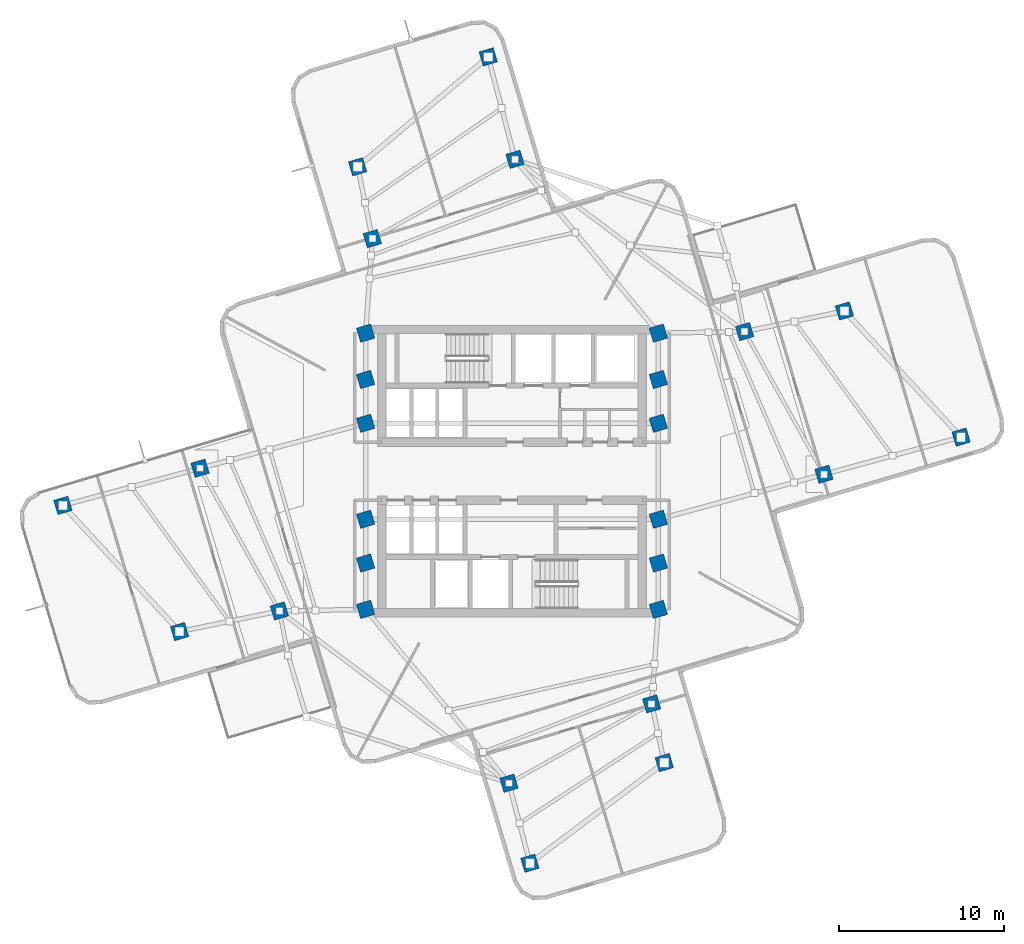
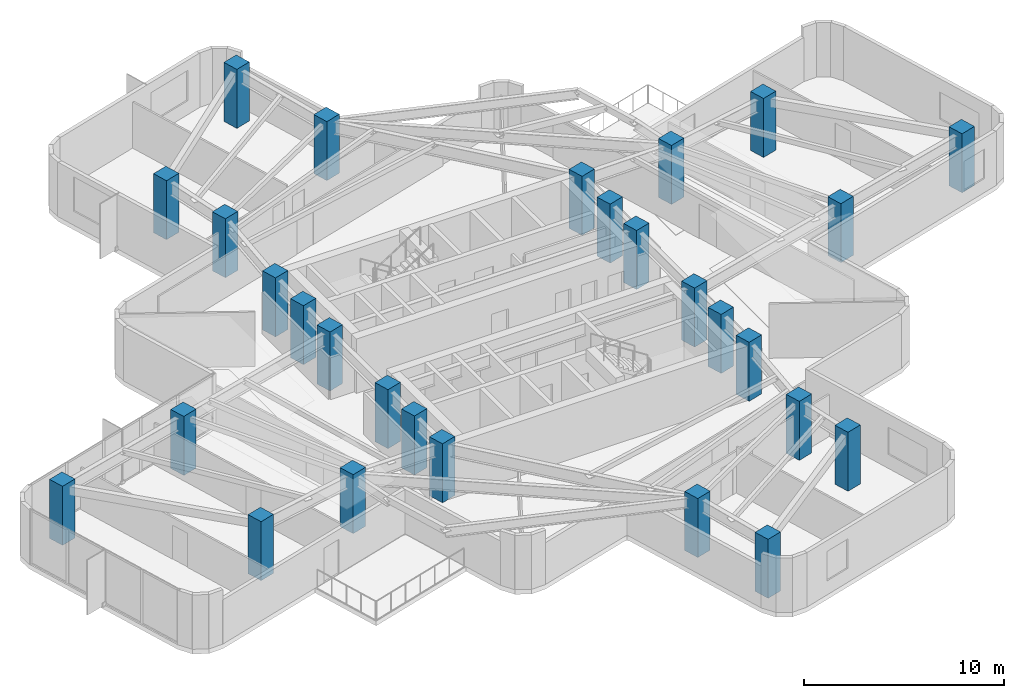
# One storey, part 1 of 11: 28 columns.
"""IFC4 building model written with IfcOpenShell, lengths in metres."""

from ifc_helpers import new_model, si_unit, direction, frame, origin, origin_2d, place, context, subcontext, project, spatial, rectangle, extrude, material, material_profile, profile_set, type_object, element, save


model = new_model("IFC4")

# Units and contexts
model_context = context("Model", 3, precision=1e-05, world=origin(), true_north=direction((0.0, 1.0)))
body_context = subcontext(model_context, "Body", "Model", "MODEL_VIEW")
ifc_project = project(units=[si_unit("LENGTHUNIT", "METRE"), si_unit("AREAUNIT", "SQUARE_METRE"), si_unit("VOLUMEUNIT", "CUBIC_METRE"), si_unit("PLANEANGLEUNIT", "RADIAN"), si_unit("MASSUNIT", "GRAM", prefix="KILO")], contexts=[model_context])

# Site, building, storey
site_placement = place(None, origin())
site = spatial("IfcSite", under=ifc_project, at=site_placement, CompositionType="ELEMENT")
building_placement = place(site_placement, origin())
building = spatial("IfcBuilding", under=site, at=building_placement, Name="Solmarez Civic Tower", CompositionType="ELEMENT")
storey_placement = place(building_placement, frame((0.0, 0.0, 141.47998046875)))
storey = spatial("IfcBuildingStorey", under=building, at=storey_placement, Name="L37", CompositionType="ELEMENT", Elevation=141.47998046875)

# Columns
ifc_material = material(Name="Concrete C50/60", Category="concrete")
ifc_material_profile = material_profile(ifc_material, rectangle(XDim=0.89990234375, YDim=0.89990234375, at=origin_2d()), Name="RC900X900")
ifc_profile_set = profile_set([ifc_material_profile], Name="Concrete C50/60")
column_type = type_object("IfcColumnType", Name="COL-RC900", PredefinedType="COLUMN", material=ifc_profile_set)
for number, where, z_axis, x_axis, name in (
    (1, (-8.85009765625, -5.550048828125, 0.0), (0.0, 0.0, 1.0), (0.958322574465, 0.285688367405, 0.0), "L37 Structural Column HC1"),
    (2, (-8.85009765625, -2.89990234375, 0.0), (0.0, 0.0, 1.0), (0.958322574465, 0.285688367405, 0.0), "L37 Structural Column HC2"),
    (3, (-8.85009765625, 2.89990234375, 0.0), (0.0, 0.0, 1.0), (0.958322574465, 0.285688367405, 0.0), "L37 Structural Column HC3"),
    (4, (-8.85009765625, 5.550048828125, 0.0), (0.0, 0.0, 1.0), (0.958322574465, 0.285688367405, 0.0), "L37 Structural Column HC4"),
    (5, (8.85009765625, -5.550048828125, 0.0), (0.0, 0.0, 1.0), (0.958322574465, 0.285688367405, 0.0), "L37 Structural Column HC5"),
    (6, (8.85009765625, -2.89990234375, 0.0), (0.0, 0.0, 1.0), (0.958322574465, 0.285688367405, 0.0), "L37 Structural Column HC6"),
    (7, (8.85009765625, 2.89990234375, 0.0), (0.0, 0.0, 1.0), (0.958322574465, 0.285688367405, 0.0), "L37 Structural Column HC7"),
    (8, (8.85009765625, 5.550048828125, 0.0), (0.0, 0.0, 1.0), (0.958322574465, 0.285688367405, 0.0), "L37 Structural Column HC8"),
    (9, (-8.85009765625, 8.35009765625, 0.0), (0.0, 0.0, 1.0), (0.958322574465, 0.285688367405, 0.0), "L37 Structural Column HC9"),
    (10, (8.85009765625, -8.35009765625, 0.0), (0.0, 0.0, 1.0), (0.958322574465, 0.285688367405, 0.0), "L37 Structural Column HC10"),
    (11, (8.85009765625, 8.35009765625, 0.0), (0.0, 0.0, 1.0), (0.958322574465, 0.285688367405, 0.0), "L37 Structural Column HC11"),
    (12, (-8.85009765625, -8.35009765625, 0.0), (0.0, 0.0, 1.0), (0.958322574465, 0.285688367405, 0.0), "L37 Structural Column HC12"),
    (13, (18.860107421875, -0.18310546875, 0.0), (0.0, 0.0, 1.0), (0.958322574465, 0.285688367405, 0.0), "L37 Structural Column EA11"),
    (14, (14.06396484375, 8.445068359375, 0.0), (0.0, 0.0, 1.0), (0.958322574465, 0.285688367405, 0.0), "L37 Structural Column EA12"),
    (15, (27.153076171875, 2.06396484375, 0.0), (0.0, 0.0, 1.0), (0.958322574465, 0.285688367405, 0.0), "L37 Structural Column EA21"),
    (16, (20.097900390625, 9.69189453125, 0.0), (0.0, 0.0, 1.0), (0.958322574465, 0.285688367405, 0.0), "L37 Structural Column EA22"),
    (17, (0.18310546875, 18.860107421875, 0.0), (0.0, 0.0, 1.0), (0.958322574465, 0.285688367405, 0.0), "L37 Structural Column NA11"),
    (18, (-8.445068359375, 14.06396484375, 0.0), (0.0, 0.0, 1.0), (0.958322574465, 0.285688367405, 0.0), "L37 Structural Column NA12"),
    (19, (-1.43701171875, 25.052001953125, 0.0), (0.0, 0.0, 1.0), (0.958322574465, 0.285688367405, 0.0), "L37 Structural Column NA21"),
    (20, (-9.3330078125, 18.408935546875, 0.0), (0.0, 0.0, 1.0), (0.958322574465, 0.285688367405, 0.0), "L37 Structural Column NA22"),
    (21, (-18.860107421875, 0.18310546875, 0.0), (0.0, 0.0, 1.0), (0.958322574465, 0.285688367405, 0.0), "L37 Structural Column WA11"),
    (22, (-14.06396484375, -8.445068359375, 0.0), (0.0, 0.0, 1.0), (0.958322574465, 0.285688367405, 0.0), "L37 Structural Column WA12"),
    (23, (-27.153076171875, -2.06396484375, 0.0), (0.0, 0.0, 1.0), (0.958322574465, 0.285688367405, 0.0), "L37 Structural Column WA21"),
    (24, (-20.097900390625, -9.69189453125, 0.0), (0.0, 0.0, 1.0), (0.958322574465, 0.285688367405, 0.0), "L37 Structural Column WA22"),
    (25, (-0.18310546875, -18.860107421875, 0.0), (0.0, 0.0, 1.0), (0.958322574465, 0.285688367405, 0.0), "L37 Structural Column SA11"),
    (26, (8.445068359375, -14.06396484375, 0.0), (0.0, 0.0, 1.0), (0.958322574465, 0.285688367405, 0.0), "L37 Structural Column SA12"),
    (27, (1.0830078125, -23.697021484375, 0.0), (0.0, 0.0, 1.0), (0.958322574465, 0.285688367405, 0.0), "L37 Structural Column SA21"),
    (28, (9.2080078125, -17.614990234375, 0.0), (0.0, 0.0, 1.0), (0.958322574465, 0.285688367405, 0.0), "L37 Structural Column SA22"),
):
    element("IfcColumn", number, at=place(storey_placement, frame(where, z_axis=z_axis, x_axis=x_axis)), inside=storey, type_object=column_type, Name=name, PredefinedType="COLUMN", context=body_context, shape_type="SweptSolid", body=[
        extrude(rectangle(XDim=0.89990234375, YDim=0.89990234375, at=origin_2d()), origin(), (0.0, 0.0, 1.0), 3.60009765625),
    ])

save(model, "model.ifc")
